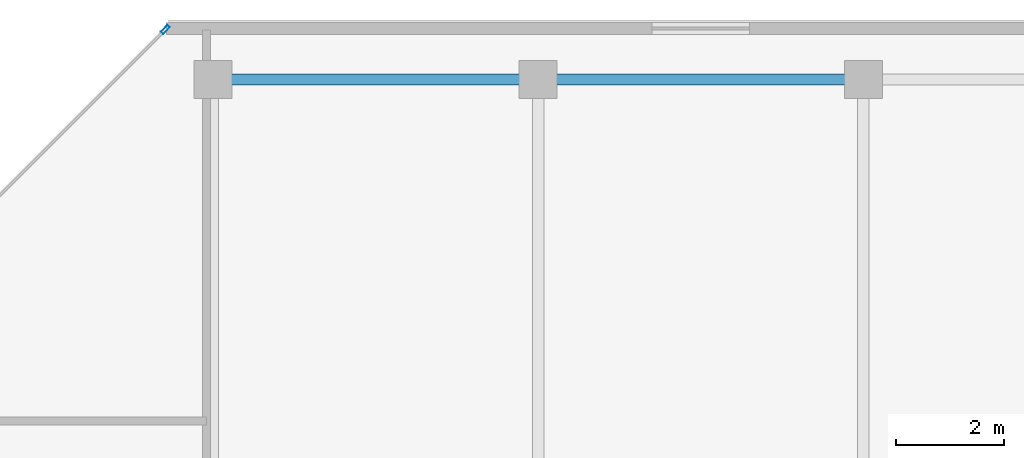
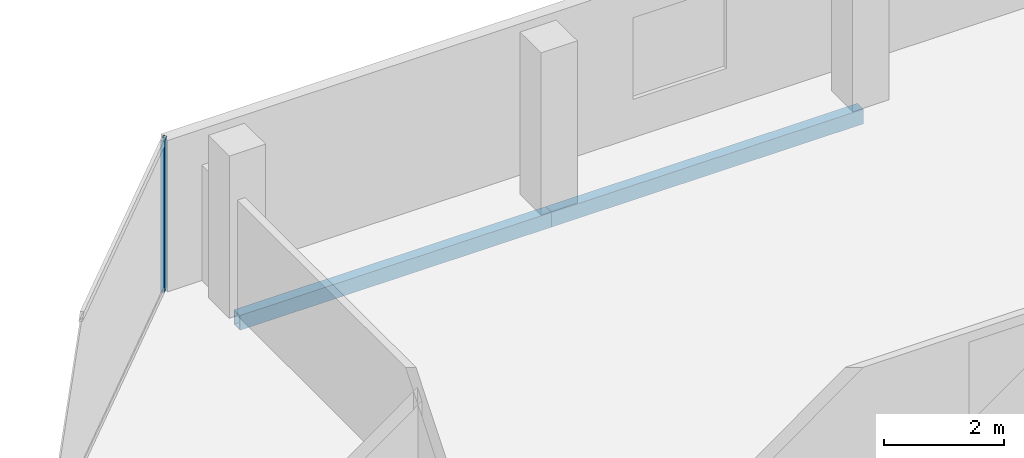
# One storey, part 14 of 29: 2 beams, 1 member, 1 element without a shape of its own.
"""IFC4 building model written with IfcOpenShell, lengths in metres."""

from ifc_helpers import new_model, si_unit, direction, frame, origin, origin_2d, place, context, subcontext, project, spatial, hollow_rectangle, extrude, material, layer, layer_set, material_profile, profile_set, type_object, element, aggregate, save


model = new_model("IFC4")

# Units and contexts
model_context = context("Model", 3, precision=1e-05, world=origin(), true_north=direction((0.0, 1.0)))
body_context = subcontext(model_context, "Body", "Model", "MODEL_VIEW")
ifc_project = project(units=[si_unit("LENGTHUNIT", "METRE"), si_unit("AREAUNIT", "SQUARE_METRE"), si_unit("VOLUMEUNIT", "CUBIC_METRE"), si_unit("PLANEANGLEUNIT", "RADIAN"), si_unit("MASSUNIT", "GRAM", prefix="KILO")], contexts=[model_context])

# Site, building, storey
site_placement = place(None, origin())
site = spatial("IfcSite", under=ifc_project, at=site_placement, CompositionType="ELEMENT")
building_placement = place(site_placement, origin())
building = spatial("IfcBuilding", under=site, at=building_placement, Name="Tanjung Sevakor Pilgrim Tower", CompositionType="ELEMENT")
storey_placement = place(building_placement, frame((0.0, 0.0, 232.64990234375)))
storey = spatial("IfcBuildingStorey", under=building, at=storey_placement, Name="L65", CompositionType="ELEMENT", Elevation=232.64990234375)

# Beams
ifc_material_1 = material(Name="Steel S355J2", Category="steel")
ifc_material_profile_1 = material_profile(ifc_material_1, hollow_rectangle(XDim=0.199951171875, YDim=0.300048828125, WallThickness=0.012451171875, at=origin_2d()))
ifc_profile_set_1 = profile_set([ifc_material_profile_1], Name="Steel S355J2")
beam_type = type_object("IfcBeamType", Name="BM-B-SP3-RHS_300x200x12.5", PredefinedType="SPANDREL", material=ifc_profile_set_1)
for number, where, z_axis, x_axis, name in (
    (1, (72.0, 53.949951171875, -0.369873046875), (1.0, 0.0, 0.0), (0.0, 1.0, 0.0), "L65 Spandrel EAST N-02"),
    (2, (78.0, 53.949951171875, -0.369873046875), (1.0, 0.0, 0.0), (0.0, 1.0, 0.0), "L65 Spandrel EAST N-04"),
):
    element("IfcBeam", number, at=place(storey_placement, frame(where, z_axis=z_axis, x_axis=x_axis)), inside=storey, type_object=beam_type, Name=name, PredefinedType="SPANDREL", context=body_context, shape_type="SweptSolid", body=[
        extrude(hollow_rectangle(XDim=0.199951171875, YDim=0.300048828125, WallThickness=0.012451171875, at=origin_2d()), origin(), (0.0, 0.0, 1.0), 6.0),
    ])

# Curtain wall, member
ifc_material_2 = material(Name="Aluminium 6063-T6 and Low-E Glass", Category="aluminium")
ifc_layer = layer(ifc_material_2, 0.179931640625)
ifc_layer_set = layer_set([ifc_layer], Name="CW-SYS-CHAM")
curtain_wall_type = type_object("IfcCurtainWallType", Name="CW-SYS-CHAM", PredefinedType="NOTDEFINED", material=ifc_layer_set)
curtain_wall_placement = place(storey_placement, origin())
curtain_wall = element("IfcCurtainWall", 3, at=curtain_wall_placement, inside=storey, type_object=curtain_wall_type, Name="L65 Curtain Wall CW-CHM-L65-EAST-5", PredefinedType="NOTDEFINED")
ifc_material_3 = material(Name="Aluminium 6063-T6", Category="aluminium")
ifc_material_profile_2 = material_profile(ifc_material_3, hollow_rectangle(XDim=0.06494140625, YDim=0.179931640625, WallThickness=0.00390625, at=origin_2d()))
ifc_profile_set_2 = profile_set([ifc_material_profile_2], Name="Aluminium 6063-T6")
member_type = type_object("IfcMemberType", Name="TYPE-CWM-1", PredefinedType="MULLION", material=ifc_profile_set_2)
member_placement = place(storey_placement, frame((71.12255859375, 54.866943359375, 0.0), z_axis=(0.0, 0.0, 1.0), x_axis=(0.707106781187, -0.707106781187, 0.0)))
member = element("IfcMember", 4, at=member_placement, type_object=member_type, Name="CW-CHM mullion 1", PredefinedType="MULLION", context=body_context, shape_type="SweptSolid", body=[
    extrude(hollow_rectangle(XDim=0.06494140625, YDim=0.179931640625, WallThickness=0.00390625, at=origin_2d()), origin(), (0.0, 0.0, 1.0), 3.080078125),
])
aggregate(curtain_wall, [member])

save(model, "model.ifc")
